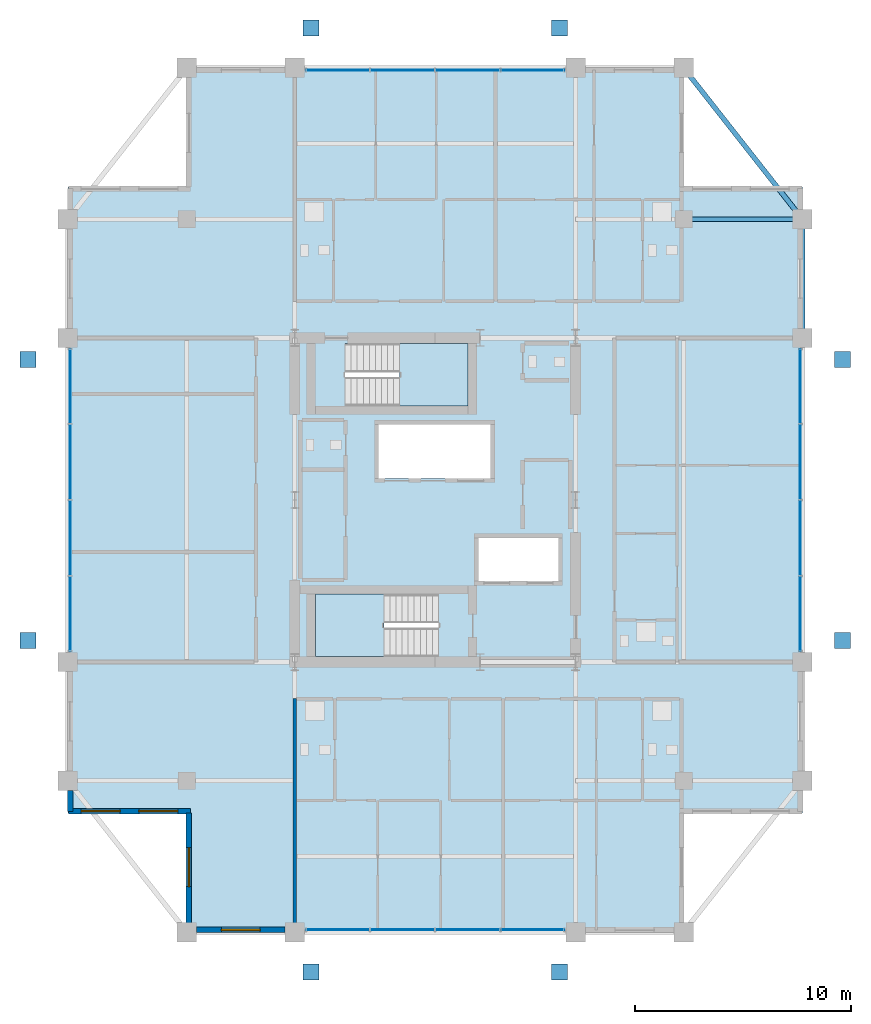
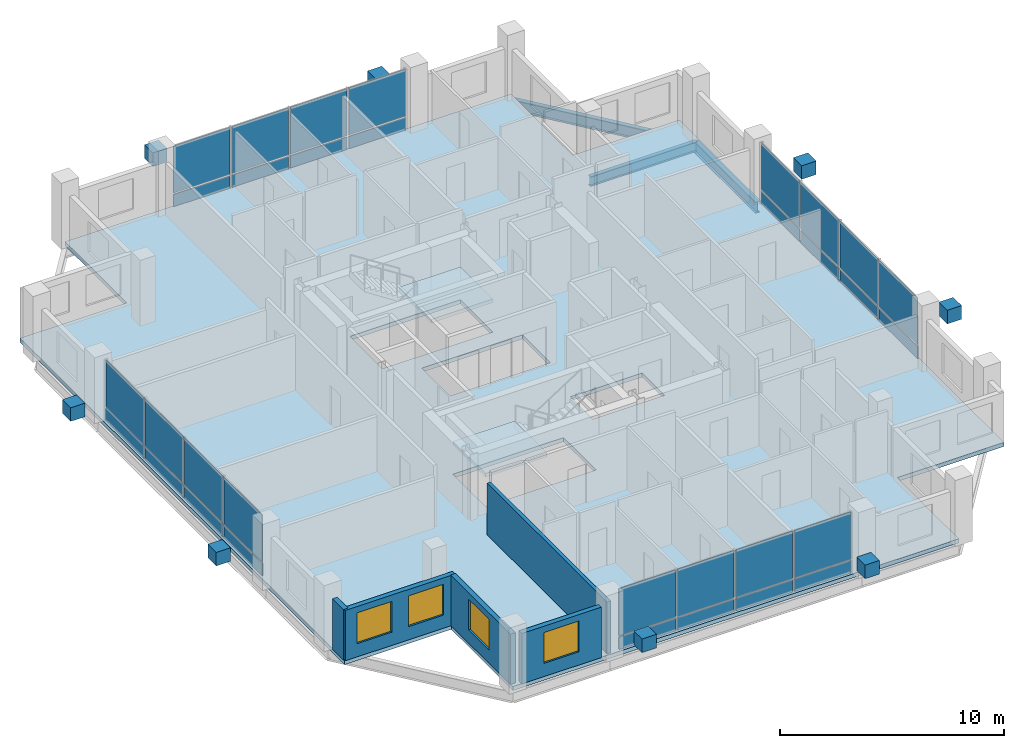
# One storey, part 15 of 21: 40 plates, 5 walls, 4 windows, 3 beams, 3 slabs, 4 openings, 6 elements without a shape of their own.
"""IFC4 building model written with IfcOpenShell, lengths in metres."""

from ifc_helpers import new_model, si_unit, direction, frame, frame_2d, origin, origin_2d, place, context, subcontext, project, spatial, polyline, rectangle, i_section, outline, extrude, material, layer, layer_set, material_profile, profile_set, type_object, element, fill, aggregate, save


model = new_model("IFC4")

# Units and contexts
model_context = context("Model", 3, precision=1e-05, world=origin(), true_north=direction((0.0, 1.0)))
body_context = subcontext(model_context, "Body", "Model", "MODEL_VIEW")
ifc_project = project(units=[si_unit("LENGTHUNIT", "METRE"), si_unit("AREAUNIT", "SQUARE_METRE"), si_unit("VOLUMEUNIT", "CUBIC_METRE"), si_unit("PLANEANGLEUNIT", "RADIAN"), si_unit("MASSUNIT", "GRAM", prefix="KILO")], contexts=[model_context])

# Site, building, storey
site_placement = place(None, origin())
site = spatial("IfcSite", under=ifc_project, at=site_placement, CompositionType="ELEMENT")
building_placement = place(site_placement, origin())
building = spatial("IfcBuilding", under=site, at=building_placement, Name="Barlavira Tower and Art Museum", CompositionType="ELEMENT")
storey_placement = place(building_placement, frame((0.0, 0.0, 233.10009765625)))
storey = spatial("IfcBuildingStorey", under=building, at=storey_placement, Name="L60", CompositionType="ELEMENT", Elevation=233.10009765625)

# Beams
ifc_material_1 = material(Name="Steel S355", Category="steel")
ifc_material_profile_1 = material_profile(ifc_material_1, i_section(OverallWidth=0.22998046875, OverallDepth=0.616943359375, WebThickness=0.01318359375, FlangeThickness=0.022216796875, at=origin_2d()), Name="W610x140.0")
ifc_profile_set_1 = profile_set([ifc_material_profile_1], Name="Steel S355")
beam_type_1 = type_object("IfcBeamType", Name="Upper Shaft Spandrel Edge Beam W610x140 Steel S355", PredefinedType="SPANDREL", material=ifc_profile_set_1)
beam_1_placement = place(storey_placement, frame((17.0, 7.5, -0.528564453125), z_axis=(0.0, 1.0, 0.0), x_axis=(-1.0, 0.0, 0.0)))
element("IfcBeam", 1, at=beam_1_placement, inside=storey, type_object=beam_type_1, Name="L60 Spandrel 7", PredefinedType="SPANDREL", context=body_context, shape_type="SweptSolid", body=[
    extrude(i_section(OverallWidth=0.22998046875, OverallDepth=0.616943359375, WebThickness=0.01318359375, FlangeThickness=0.022216796875, at=origin_2d()), origin(), (0.0, 0.0, 1.0), 5.5),
])
beam_2_placement = place(storey_placement, frame((17.0, 13.0, -0.528564453125), z_axis=(-0.617821551932, 0.786318338822, 0.0), x_axis=(-0.786318338822, -0.617821551932, 0.0)))
element("IfcBeam", 2, at=beam_2_placement, inside=storey, type_object=beam_type_1, Name="L60 Spandrel 8", PredefinedType="SPANDREL", context=body_context, shape_type="SweptSolid", body=[
    extrude(i_section(OverallWidth=0.22998046875, OverallDepth=0.616943359375, WebThickness=0.01318359375, FlangeThickness=0.022216796875, at=origin_2d()), origin(), (0.0, 0.0, 1.0), 8.90234375),
])
ifc_material_profile_2 = material_profile(ifc_material_1, i_section(OverallWidth=0.2109375, OverallDepth=0.5390625, WebThickness=0.01171875, FlangeThickness=0.018798828125, at=origin_2d()), Name="W530x109.0")
ifc_profile_set_2 = profile_set([ifc_material_profile_2], Name="Steel S355")
beam_type_2 = type_object("IfcBeamType", Name="Zone 3-4 Primary Floor Girder W530x109 Steel S355", PredefinedType="BEAM", material=ifc_profile_set_2)
beam_3_placement = place(storey_placement, frame((11.5, 13.0, -0.489501953125), z_axis=(1.0, 0.0, 0.0), x_axis=(0.0, 1.0, 0.0)))
element("IfcBeam", 3, at=beam_3_placement, inside=storey, type_object=beam_type_2, Name="L60 Girder I-N4", PredefinedType="BEAM", context=body_context, shape_type="SweptSolid", body=[
    extrude(i_section(OverallWidth=0.2109375, OverallDepth=0.5390625, WebThickness=0.01171875, FlangeThickness=0.018798828125, at=origin_2d()), origin(), (0.0, 0.0, 1.0), 5.5),
])

# Curtain wall, plates
ifc_material_2 = material(Name="Low-iron coastal laminated glass", Category="glass")
ifc_layer_1 = layer(ifc_material_2, 0.2099609375, Name="Low-iron coastal laminated glass")
ifc_layer_set_1 = layer_set([ifc_layer_1], Name="Low-iron coastal laminated glass")
curtain_wall_type = type_object("IfcCurtainWallType", Name="Pale-Metal Unitised Curtain Wall Zone 4", PredefinedType="NOTDEFINED", material=ifc_layer_set_1)
curtain_wall_1_placement = place(storey_placement, origin())
curtain_wall_1 = element("IfcCurtainWall", 4, at=curtain_wall_1_placement, inside=storey, type_object=curtain_wall_type, Name="L60 Curtain Wall CW4-L60-S-B2", PredefinedType="NOTDEFINED")
ifc_material_3 = material(Name="Pale anodised aluminium", Category="aluminium")
ifc_layer_2 = layer(ifc_material_3, 0.044921875, Name="Pale anodised aluminium")
ifc_layer_set_2 = layer_set([ifc_layer_2], Name="Pale anodised aluminium")
plate_type_1 = type_object("IfcPlateType", Name="Curtain Wall Pale-Metal Spandrel Panel 45", PredefinedType="CURTAIN_PANEL", material=ifc_layer_set_2)
plate_1_placement = place(storey_placement, frame((-4.5224609375, -19.89990234375, 0.039794921875), z_axis=(0.0, 0.0, 1.0), x_axis=(1.0, 0.0, 0.0)))
plate_1 = element("IfcPlate", 5, at=plate_1_placement, type_object=plate_type_1, Name="CW4-L60-S-B2 Spandrel Panel 0", PredefinedType="CURTAIN_PANEL", context=body_context, shape_type="SweptSolid", body=[
    extrude(rectangle(XDim=2.9150390625, YDim=0.044921875, at=origin_2d()), origin(), (0.0, 0.0, 1.0), 0.6640625),
])
plate_2_placement = place(storey_placement, frame((-1.507568359375, -19.89990234375, 0.039794921875), z_axis=(0.0, 0.0, 1.0), x_axis=(1.0, 0.0, 0.0)))
plate_2 = element("IfcPlate", 6, at=plate_2_placement, type_object=plate_type_1, Name="CW4-L60-S-B2 Spandrel Panel 1", PredefinedType="CURTAIN_PANEL", context=body_context, shape_type="SweptSolid", body=[
    extrude(rectangle(XDim=2.9150390625, YDim=0.044921875, at=origin_2d()), origin(), (0.0, 0.0, 1.0), 0.6640625),
])
plate_3_placement = place(storey_placement, frame((1.507568359375, -19.89990234375, 0.039794921875), z_axis=(0.0, 0.0, 1.0), x_axis=(1.0, 0.0, 0.0)))
plate_3 = element("IfcPlate", 7, at=plate_3_placement, type_object=plate_type_1, Name="CW4-L60-S-B2 Spandrel Panel 2", PredefinedType="CURTAIN_PANEL", context=body_context, shape_type="SweptSolid", body=[
    extrude(rectangle(XDim=2.9150390625, YDim=0.044921875, at=origin_2d()), origin(), (0.0, 0.0, 1.0), 0.6640625),
])
plate_4_placement = place(storey_placement, frame((4.5224609375, -19.89990234375, 0.039794921875), z_axis=(0.0, 0.0, 1.0), x_axis=(1.0, 0.0, 0.0)))
plate_4 = element("IfcPlate", 8, at=plate_4_placement, type_object=plate_type_1, Name="CW4-L60-S-B2 Spandrel Panel 3", PredefinedType="CURTAIN_PANEL", context=body_context, shape_type="SweptSolid", body=[
    extrude(rectangle(XDim=2.9150390625, YDim=0.044921875, at=origin_2d()), origin(), (0.0, 0.0, 1.0), 0.6640625),
])

curtain_wall_2_placement = place(storey_placement, origin())
curtain_wall_2 = element("IfcCurtainWall", 9, at=curtain_wall_2_placement, inside=storey, type_object=curtain_wall_type, Name="L60 Curtain Wall CW4-L60-N-B2", PredefinedType="NOTDEFINED")
plate_5_placement = place(storey_placement, frame((4.5224609375, 19.89990234375, 0.039794921875), z_axis=(0.0, 0.0, 1.0), x_axis=(-1.0, 0.0, 0.0)))
plate_5 = element("IfcPlate", 10, at=plate_5_placement, type_object=plate_type_1, Name="CW4-L60-N-B2 Spandrel Panel 0", PredefinedType="CURTAIN_PANEL", context=body_context, shape_type="SweptSolid", body=[
    extrude(rectangle(XDim=2.9150390625, YDim=0.044921875, at=origin_2d()), origin(), (0.0, 0.0, 1.0), 0.6640625),
])
plate_6_placement = place(storey_placement, frame((1.507568359375, 19.89990234375, 0.039794921875), z_axis=(0.0, 0.0, 1.0), x_axis=(-1.0, 0.0, 0.0)))
plate_6 = element("IfcPlate", 11, at=plate_6_placement, type_object=plate_type_1, Name="CW4-L60-N-B2 Spandrel Panel 1", PredefinedType="CURTAIN_PANEL", context=body_context, shape_type="SweptSolid", body=[
    extrude(rectangle(XDim=2.9150390625, YDim=0.044921875, at=origin_2d()), origin(), (0.0, 0.0, 1.0), 0.6640625),
])
plate_7_placement = place(storey_placement, frame((-1.507568359375, 19.89990234375, 0.039794921875), z_axis=(0.0, 0.0, 1.0), x_axis=(-1.0, 0.0, 0.0)))
plate_7 = element("IfcPlate", 12, at=plate_7_placement, type_object=plate_type_1, Name="CW4-L60-N-B2 Spandrel Panel 2", PredefinedType="CURTAIN_PANEL", context=body_context, shape_type="SweptSolid", body=[
    extrude(rectangle(XDim=2.9150390625, YDim=0.044921875, at=origin_2d()), origin(), (0.0, 0.0, 1.0), 0.6640625),
])
plate_8_placement = place(storey_placement, frame((-4.5224609375, 19.89990234375, 0.039794921875), z_axis=(0.0, 0.0, 1.0), x_axis=(-1.0, 0.0, 0.0)))
plate_8 = element("IfcPlate", 13, at=plate_8_placement, type_object=plate_type_1, Name="CW4-L60-N-B2 Spandrel Panel 3", PredefinedType="CURTAIN_PANEL", context=body_context, shape_type="SweptSolid", body=[
    extrude(rectangle(XDim=2.9150390625, YDim=0.044921875, at=origin_2d()), origin(), (0.0, 0.0, 1.0), 0.6640625),
])

curtain_wall_3_placement = place(storey_placement, origin())
curtain_wall_3 = element("IfcCurtainWall", 14, at=curtain_wall_3_placement, inside=storey, type_object=curtain_wall_type, Name="L60 Curtain Wall CW4-L60-W-B3", PredefinedType="NOTDEFINED")
plate_9_placement = place(storey_placement, frame((-16.89990234375, 5.2724609375, 0.039794921875), z_axis=(0.0, 0.0, 1.0), x_axis=(0.0, -1.0, 0.0)))
plate_9 = element("IfcPlate", 15, at=plate_9_placement, type_object=plate_type_1, Name="CW4-L60-W-B3 Spandrel Panel 0", PredefinedType="CURTAIN_PANEL", context=body_context, shape_type="SweptSolid", body=[
    extrude(rectangle(XDim=3.4150390625, YDim=0.044921875, at=origin_2d()), origin(), (0.0, 0.0, 1.0), 0.6640625),
])
plate_10_placement = place(storey_placement, frame((-16.89990234375, 1.757568359375, 0.039794921875), z_axis=(0.0, 0.0, 1.0), x_axis=(0.0, -1.0, 0.0)))
plate_10 = element("IfcPlate", 16, at=plate_10_placement, type_object=plate_type_1, Name="CW4-L60-W-B3 Spandrel Panel 1", PredefinedType="CURTAIN_PANEL", context=body_context, shape_type="SweptSolid", body=[
    extrude(rectangle(XDim=3.4150390625, YDim=0.044921875, at=origin_2d()), origin(), (0.0, 0.0, 1.0), 0.6640625),
])
plate_11_placement = place(storey_placement, frame((-16.89990234375, -1.757568359375, 0.039794921875), z_axis=(0.0, 0.0, 1.0), x_axis=(0.0, -1.0, 0.0)))
plate_11 = element("IfcPlate", 17, at=plate_11_placement, type_object=plate_type_1, Name="CW4-L60-W-B3 Spandrel Panel 2", PredefinedType="CURTAIN_PANEL", context=body_context, shape_type="SweptSolid", body=[
    extrude(rectangle(XDim=3.4150390625, YDim=0.044921875, at=origin_2d()), origin(), (0.0, 0.0, 1.0), 0.6640625),
])
plate_12_placement = place(storey_placement, frame((-16.89990234375, -5.2724609375, 0.039794921875), z_axis=(0.0, 0.0, 1.0), x_axis=(0.0, -1.0, 0.0)))
plate_12 = element("IfcPlate", 18, at=plate_12_placement, type_object=plate_type_1, Name="CW4-L60-W-B3 Spandrel Panel 3", PredefinedType="CURTAIN_PANEL", context=body_context, shape_type="SweptSolid", body=[
    extrude(rectangle(XDim=3.4150390625, YDim=0.044921875, at=origin_2d()), origin(), (0.0, 0.0, 1.0), 0.6640625),
])

curtain_wall_4_placement = place(storey_placement, origin())
curtain_wall_4 = element("IfcCurtainWall", 19, at=curtain_wall_4_placement, inside=storey, type_object=curtain_wall_type, Name="L60 Curtain Wall CW4-L60-E-B3", PredefinedType="NOTDEFINED")
plate_13_placement = place(storey_placement, frame((16.89990234375, -5.2724609375, 0.039794921875), z_axis=(0.0, 0.0, 1.0), x_axis=(0.0, 1.0, 0.0)))
plate_13 = element("IfcPlate", 20, at=plate_13_placement, type_object=plate_type_1, Name="CW4-L60-E-B3 Spandrel Panel 0", PredefinedType="CURTAIN_PANEL", context=body_context, shape_type="SweptSolid", body=[
    extrude(rectangle(XDim=3.4150390625, YDim=0.044921875, at=origin_2d()), origin(), (0.0, 0.0, 1.0), 0.6640625),
])
plate_14_placement = place(storey_placement, frame((16.89990234375, -1.757568359375, 0.039794921875), z_axis=(0.0, 0.0, 1.0), x_axis=(0.0, 1.0, 0.0)))
plate_14 = element("IfcPlate", 21, at=plate_14_placement, type_object=plate_type_1, Name="CW4-L60-E-B3 Spandrel Panel 1", PredefinedType="CURTAIN_PANEL", context=body_context, shape_type="SweptSolid", body=[
    extrude(rectangle(XDim=3.4150390625, YDim=0.044921875, at=origin_2d()), origin(), (0.0, 0.0, 1.0), 0.6640625),
])
plate_15_placement = place(storey_placement, frame((16.89990234375, 1.757568359375, 0.039794921875), z_axis=(0.0, 0.0, 1.0), x_axis=(0.0, 1.0, 0.0)))
plate_15 = element("IfcPlate", 22, at=plate_15_placement, type_object=plate_type_1, Name="CW4-L60-E-B3 Spandrel Panel 2", PredefinedType="CURTAIN_PANEL", context=body_context, shape_type="SweptSolid", body=[
    extrude(rectangle(XDim=3.4150390625, YDim=0.044921875, at=origin_2d()), origin(), (0.0, 0.0, 1.0), 0.6640625),
])
plate_16_placement = place(storey_placement, frame((16.89990234375, 5.2724609375, 0.039794921875), z_axis=(0.0, 0.0, 1.0), x_axis=(0.0, 1.0, 0.0)))
plate_16 = element("IfcPlate", 23, at=plate_16_placement, type_object=plate_type_1, Name="CW4-L60-E-B3 Spandrel Panel 3", PredefinedType="CURTAIN_PANEL", context=body_context, shape_type="SweptSolid", body=[
    extrude(rectangle(XDim=3.4150390625, YDim=0.044921875, at=origin_2d()), origin(), (0.0, 0.0, 1.0), 0.6640625),
])

# Plate
ifc_layer_3 = layer(ifc_material_2, 0.028076171875, Name="Low-iron coastal laminated glass")
ifc_layer_set_3 = layer_set([ifc_layer_3], Name="Low-iron coastal laminated glass")
plate_type_2 = type_object("IfcPlateType", Name="Curtain Wall Vision Glazing Panel 28", PredefinedType="CURTAIN_PANEL", material=ifc_layer_set_3)
plate_17_placement = place(storey_placement, frame((-4.5224609375, -19.89990234375, 0.7841796875), z_axis=(0.0, 0.0, 1.0), x_axis=(1.0, 0.0, 0.0)))
plate_17 = element("IfcPlate", 24, at=plate_17_placement, type_object=plate_type_2, Name="CW4-L60-S-B2 Vision Glass Panel 0", PredefinedType="CURTAIN_PANEL", context=body_context, shape_type="SweptSolid", body=[
    extrude(rectangle(XDim=2.9150390625, YDim=0.028076171875, at=origin_2d()), origin(), (0.0, 0.0, 1.0), 2.555908203125),
])

plate_18_placement = place(storey_placement, frame((-1.507568359375, -19.89990234375, 0.7841796875), z_axis=(0.0, 0.0, 1.0), x_axis=(1.0, 0.0, 0.0)))
plate_18 = element("IfcPlate", 25, at=plate_18_placement, type_object=plate_type_2, Name="CW4-L60-S-B2 Vision Glass Panel 1", PredefinedType="CURTAIN_PANEL", context=body_context, shape_type="SweptSolid", body=[
    extrude(rectangle(XDim=2.9150390625, YDim=0.028076171875, at=origin_2d()), origin(), (0.0, 0.0, 1.0), 2.555908203125),
])

plate_19_placement = place(storey_placement, frame((1.507568359375, -19.89990234375, 0.7841796875), z_axis=(0.0, 0.0, 1.0), x_axis=(1.0, 0.0, 0.0)))
plate_19 = element("IfcPlate", 26, at=plate_19_placement, type_object=plate_type_2, Name="CW4-L60-S-B2 Vision Glass Panel 2", PredefinedType="CURTAIN_PANEL", context=body_context, shape_type="SweptSolid", body=[
    extrude(rectangle(XDim=2.9150390625, YDim=0.028076171875, at=origin_2d()), origin(), (0.0, 0.0, 1.0), 2.555908203125),
])

plate_20_placement = place(storey_placement, frame((4.5224609375, -19.89990234375, 0.7841796875), z_axis=(0.0, 0.0, 1.0), x_axis=(1.0, 0.0, 0.0)))
plate_20 = element("IfcPlate", 27, at=plate_20_placement, type_object=plate_type_2, Name="CW4-L60-S-B2 Vision Glass Panel 3", PredefinedType="CURTAIN_PANEL", context=body_context, shape_type="SweptSolid", body=[
    extrude(rectangle(XDim=2.9150390625, YDim=0.028076171875, at=origin_2d()), origin(), (0.0, 0.0, 1.0), 2.555908203125),
])

aggregate(curtain_wall_1, [plate_1, plate_17, plate_2, plate_18, plate_3, plate_19, plate_4, plate_20])

plate_21_placement = place(storey_placement, frame((4.5224609375, 19.89990234375, 0.7841796875), z_axis=(0.0, 0.0, 1.0), x_axis=(-1.0, 0.0, 0.0)))
plate_21 = element("IfcPlate", 28, at=plate_21_placement, type_object=plate_type_2, Name="CW4-L60-N-B2 Vision Glass Panel 0", PredefinedType="CURTAIN_PANEL", context=body_context, shape_type="SweptSolid", body=[
    extrude(rectangle(XDim=2.9150390625, YDim=0.028076171875, at=origin_2d()), origin(), (0.0, 0.0, 1.0), 2.555908203125),
])

plate_22_placement = place(storey_placement, frame((1.507568359375, 19.89990234375, 0.7841796875), z_axis=(0.0, 0.0, 1.0), x_axis=(-1.0, 0.0, 0.0)))
plate_22 = element("IfcPlate", 29, at=plate_22_placement, type_object=plate_type_2, Name="CW4-L60-N-B2 Vision Glass Panel 1", PredefinedType="CURTAIN_PANEL", context=body_context, shape_type="SweptSolid", body=[
    extrude(rectangle(XDim=2.9150390625, YDim=0.028076171875, at=origin_2d()), origin(), (0.0, 0.0, 1.0), 2.555908203125),
])

plate_23_placement = place(storey_placement, frame((-1.507568359375, 19.89990234375, 0.7841796875), z_axis=(0.0, 0.0, 1.0), x_axis=(-1.0, 0.0, 0.0)))
plate_23 = element("IfcPlate", 30, at=plate_23_placement, type_object=plate_type_2, Name="CW4-L60-N-B2 Vision Glass Panel 2", PredefinedType="CURTAIN_PANEL", context=body_context, shape_type="SweptSolid", body=[
    extrude(rectangle(XDim=2.9150390625, YDim=0.028076171875, at=origin_2d()), origin(), (0.0, 0.0, 1.0), 2.555908203125),
])

plate_24_placement = place(storey_placement, frame((-4.5224609375, 19.89990234375, 0.7841796875), z_axis=(0.0, 0.0, 1.0), x_axis=(-1.0, 0.0, 0.0)))
plate_24 = element("IfcPlate", 31, at=plate_24_placement, type_object=plate_type_2, Name="CW4-L60-N-B2 Vision Glass Panel 3", PredefinedType="CURTAIN_PANEL", context=body_context, shape_type="SweptSolid", body=[
    extrude(rectangle(XDim=2.9150390625, YDim=0.028076171875, at=origin_2d()), origin(), (0.0, 0.0, 1.0), 2.555908203125),
])

aggregate(curtain_wall_2, [plate_5, plate_21, plate_6, plate_22, plate_7, plate_23, plate_8, plate_24])

plate_25_placement = place(storey_placement, frame((-16.89990234375, 5.2724609375, 0.7841796875), z_axis=(0.0, 0.0, 1.0), x_axis=(0.0, -1.0, 0.0)))
plate_25 = element("IfcPlate", 32, at=plate_25_placement, type_object=plate_type_2, Name="CW4-L60-W-B3 Vision Glass Panel 0", PredefinedType="CURTAIN_PANEL", context=body_context, shape_type="SweptSolid", body=[
    extrude(rectangle(XDim=3.4150390625, YDim=0.028076171875, at=origin_2d()), origin(), (0.0, 0.0, 1.0), 2.555908203125),
])

plate_26_placement = place(storey_placement, frame((-16.89990234375, 1.757568359375, 0.7841796875), z_axis=(0.0, 0.0, 1.0), x_axis=(0.0, -1.0, 0.0)))
plate_26 = element("IfcPlate", 33, at=plate_26_placement, type_object=plate_type_2, Name="CW4-L60-W-B3 Vision Glass Panel 1", PredefinedType="CURTAIN_PANEL", context=body_context, shape_type="SweptSolid", body=[
    extrude(rectangle(XDim=3.4150390625, YDim=0.028076171875, at=origin_2d()), origin(), (0.0, 0.0, 1.0), 2.555908203125),
])

plate_27_placement = place(storey_placement, frame((-16.89990234375, -1.757568359375, 0.7841796875), z_axis=(0.0, 0.0, 1.0), x_axis=(0.0, -1.0, 0.0)))
plate_27 = element("IfcPlate", 34, at=plate_27_placement, type_object=plate_type_2, Name="CW4-L60-W-B3 Vision Glass Panel 2", PredefinedType="CURTAIN_PANEL", context=body_context, shape_type="SweptSolid", body=[
    extrude(rectangle(XDim=3.4150390625, YDim=0.028076171875, at=origin_2d()), origin(), (0.0, 0.0, 1.0), 2.555908203125),
])

plate_28_placement = place(storey_placement, frame((-16.89990234375, -5.2724609375, 0.7841796875), z_axis=(0.0, 0.0, 1.0), x_axis=(0.0, -1.0, 0.0)))
plate_28 = element("IfcPlate", 35, at=plate_28_placement, type_object=plate_type_2, Name="CW4-L60-W-B3 Vision Glass Panel 3", PredefinedType="CURTAIN_PANEL", context=body_context, shape_type="SweptSolid", body=[
    extrude(rectangle(XDim=3.4150390625, YDim=0.028076171875, at=origin_2d()), origin(), (0.0, 0.0, 1.0), 2.555908203125),
])

aggregate(curtain_wall_3, [plate_9, plate_25, plate_10, plate_26, plate_11, plate_27, plate_12, plate_28])

plate_29_placement = place(storey_placement, frame((16.89990234375, -5.2724609375, 0.7841796875), z_axis=(0.0, 0.0, 1.0), x_axis=(0.0, 1.0, 0.0)))
plate_29 = element("IfcPlate", 36, at=plate_29_placement, type_object=plate_type_2, Name="CW4-L60-E-B3 Vision Glass Panel 0", PredefinedType="CURTAIN_PANEL", context=body_context, shape_type="SweptSolid", body=[
    extrude(rectangle(XDim=3.4150390625, YDim=0.028076171875, at=origin_2d()), origin(), (0.0, 0.0, 1.0), 2.555908203125),
])

plate_30_placement = place(storey_placement, frame((16.89990234375, -1.757568359375, 0.7841796875), z_axis=(0.0, 0.0, 1.0), x_axis=(0.0, 1.0, 0.0)))
plate_30 = element("IfcPlate", 37, at=plate_30_placement, type_object=plate_type_2, Name="CW4-L60-E-B3 Vision Glass Panel 1", PredefinedType="CURTAIN_PANEL", context=body_context, shape_type="SweptSolid", body=[
    extrude(rectangle(XDim=3.4150390625, YDim=0.028076171875, at=origin_2d()), origin(), (0.0, 0.0, 1.0), 2.555908203125),
])

plate_31_placement = place(storey_placement, frame((16.89990234375, 1.757568359375, 0.7841796875), z_axis=(0.0, 0.0, 1.0), x_axis=(0.0, 1.0, 0.0)))
plate_31 = element("IfcPlate", 38, at=plate_31_placement, type_object=plate_type_2, Name="CW4-L60-E-B3 Vision Glass Panel 2", PredefinedType="CURTAIN_PANEL", context=body_context, shape_type="SweptSolid", body=[
    extrude(rectangle(XDim=3.4150390625, YDim=0.028076171875, at=origin_2d()), origin(), (0.0, 0.0, 1.0), 2.555908203125),
])

plate_32_placement = place(storey_placement, frame((16.89990234375, 5.2724609375, 0.7841796875), z_axis=(0.0, 0.0, 1.0), x_axis=(0.0, 1.0, 0.0)))
plate_32 = element("IfcPlate", 39, at=plate_32_placement, type_object=plate_type_2, Name="CW4-L60-E-B3 Vision Glass Panel 3", PredefinedType="CURTAIN_PANEL", context=body_context, shape_type="SweptSolid", body=[
    extrude(rectangle(XDim=3.4150390625, YDim=0.028076171875, at=origin_2d()), origin(), (0.0, 0.0, 1.0), 2.555908203125),
])

aggregate(curtain_wall_4, [plate_13, plate_29, plate_14, plate_30, plate_15, plate_31, plate_16, plate_32])

# Plates
ifc_layer_4 = layer(ifc_material_1, 0.739990234375, Name="Steel S355")
ifc_layer_set_4 = layer_set([ifc_layer_4], Name="Steel S355")
plate_type_3 = type_object("IfcPlateType", Name="Exoskeleton Solid Steel Node Cap Plate Assembly Type 4 Steel S355", PredefinedType="USERDEFINED", material=ifc_layer_set_4)
for number, where, z_axis, x_axis, name in (
    (40, (-5.75, -21.85009765625, 1.31005859375), (0.0, 0.0, 1.0), (1.0, 0.0, 0.0), "Exoskeleton Diamond Node S1 ND-L60-0672"),
    (41, (5.75, -21.85009765625, 1.31005859375), (0.0, 0.0, 1.0), (1.0, 0.0, 0.0), "Exoskeleton Diamond Node S2 ND-L60-0673"),
    (42, (-5.75, 21.85009765625, 1.31005859375), (0.0, 0.0, 1.0), (1.0, 0.0, 0.0), "Exoskeleton Diamond Node N1 ND-L60-0680"),
    (43, (5.75, 21.85009765625, 1.31005859375), (0.0, 0.0, 1.0), (1.0, 0.0, 0.0), "Exoskeleton Diamond Node N2 ND-L60-0681"),
    (44, (-18.85009765625, -6.5, 1.31005859375), (0.0, 0.0, 1.0), (1.0, 0.0, 0.0), "Exoskeleton Diamond Node W1 ND-L60-0688"),
    (45, (-18.85009765625, 6.5, 1.31005859375), (0.0, 0.0, 1.0), (1.0, 0.0, 0.0), "Exoskeleton Diamond Node W2 ND-L60-0689"),
    (46, (18.85009765625, -6.5, 1.31005859375), (0.0, 0.0, 1.0), (1.0, 0.0, 0.0), "Exoskeleton Diamond Node E1 ND-L60-0696"),
    (47, (18.85009765625, 6.5, 1.31005859375), (0.0, 0.0, 1.0), (1.0, 0.0, 0.0), "Exoskeleton Diamond Node E2 ND-L60-0697"),
):
    element("IfcPlate", number, at=place(storey_placement, frame(where, z_axis=z_axis, x_axis=x_axis)), inside=storey, type_object=plate_type_3, Name=name, ObjectType="FLANGE_PLATE", PredefinedType="USERDEFINED", context=body_context, shape_type="SweptSolid", body=[
        extrude(rectangle(XDim=0.739990234375, YDim=0.739990234375, at=origin_2d()), origin(), (0.0, 0.0, 1.0), 0.739990234375),
    ])

# Stair, slab
ifc_material_4 = material(Name="Concrete C45", Category="concrete")
stair_type_1 = type_object("IfcStairType", Name="Tower North Dog-Leg Exit Stair Assembly Concrete C45", PredefinedType="TWO_QUARTER_TURN_STAIR", material=ifc_material_4)
stair_1_placement = place(storey_placement, origin())
stair_1 = element("IfcStair", 48, at=stair_1_placement, inside=storey, type_object=stair_type_1, Name="L60 Tower North Exit Stair ST-T2", PredefinedType="TWO_QUARTER_TURN_STAIR")
ifc_layer_5 = layer(ifc_material_4, 0.199951171875, Name="Concrete C45")
ifc_layer_set_5 = layer_set([ifc_layer_5], Name="Concrete C45")
slab_type_1 = type_object("IfcSlabType", Name="Tower North Dog-Leg Exit Stair Half-Landing Slab 200 Concrete C45", PredefinedType="LANDING", material=ifc_layer_set_5)
slab_1_placement = place(storey_placement, frame((0.0, 0.0, 1.599853515625)))
slab_1 = element("IfcSlab", 49, at=slab_1_placement, type_object=slab_type_1, Name="ST-T2 landing 1", PredefinedType="LANDING", context=body_context, shape_type="SweptSolid", body=[
    extrude(outline(polyline([(-1.64990234375, 4.35009765625), (1.530029296875, 4.35009765625), (1.530029296875, 7.25), (-1.64990234375, 7.25), (-1.64990234375, 4.35009765625)])), origin(), (0.0, 0.0, 1.0), 0.199951171875),
])
aggregate(stair_1, [slab_1])

stair_type_2 = type_object("IfcStairType", Name="Tower South Dog-Leg Exit Stair Assembly Concrete C45", PredefinedType="TWO_QUARTER_TURN_STAIR", material=ifc_material_4)
stair_2_placement = place(storey_placement, origin())
stair_2 = element("IfcStair", 50, at=stair_2_placement, inside=storey, type_object=stair_type_2, Name="L60 Tower South Exit Stair ST-T1", PredefinedType="TWO_QUARTER_TURN_STAIR")
ifc_layer_6 = layer(ifc_material_4, 0.199951171875, Name="Concrete C45")
ifc_layer_set_6 = layer_set([ifc_layer_6], Name="Concrete C45")
slab_type_2 = type_object("IfcSlabType", Name="Tower South Dog-Leg Exit Stair Half-Landing Slab 200 Concrete C45", PredefinedType="LANDING", material=ifc_layer_set_6)
slab_2_placement = place(storey_placement, frame((0.0, 0.0, 1.599853515625)))
slab_2 = element("IfcSlab", 51, at=slab_2_placement, type_object=slab_type_2, Name="ST-T1 landing 1", PredefinedType="LANDING", context=body_context, shape_type="SweptSolid", body=[
    extrude(outline(polyline([(-2.3701171875, -4.35009765625), (-5.550048828125, -4.35009765625), (-5.550048828125, -7.25), (-2.3701171875, -7.25), (-2.3701171875, -4.35009765625)])), origin(), (0.0, 0.0, 1.0), 0.199951171875),
])
aggregate(stair_2, [slab_2])

# Slab
ifc_material_5 = material(Name="Concrete C50", Category="concrete")
ifc_layer_7 = layer(ifc_material_5, 0.18994140625, Name="Concrete C50")
ifc_layer_set_7 = layer_set([ifc_layer_7], Name="Concrete C50")
slab_type_3 = type_object("IfcSlabType", Name="Zone 4 Residential Composite Slab 190 Concrete C50", PredefinedType="FLOOR", material=ifc_layer_set_7)
slab_3_placement = place(storey_placement, frame((0.0, 0.0, -0.22021484375)))
element("IfcSlab", 52, at=slab_3_placement, inside=storey, type_object=slab_type_3, Name="L60 Tower Floor Slab", PredefinedType="FLOOR", context=body_context, shape_type="SweptSolid", body=[
    extrude(outline(polyline([(-11.5, -20.0), (11.5, -20.0), (11.5, -14.5), (17.0, -14.5), (17.0, 14.5), (11.5, 14.5), (11.5, 20.0), (-11.5, 20.0), (-11.5, 14.5), (-17.0, 14.5), (-17.0, -14.5), (-11.5, -14.5), (-11.5, -20.0)]), holes=[polyline([(0.14990234375, -4.35009765625), (-5.550048828125, -4.35009765625), (-5.550048828125, -7.25), (0.14990234375, -7.25), (0.14990234375, -4.35009765625)]), polyline([(-4.169921875, 4.35009765625), (1.530029296875, 4.35009765625), (1.530029296875, 7.25), (-4.169921875, 7.25), (-4.169921875, 4.35009765625)]), polyline([(-2.6201171875, 1.0), (2.56005859375, 1.0), (2.56005859375, 3.5), (-2.6201171875, 3.5), (-2.6201171875, 1.0)]), polyline([(2.0, -3.75), (5.699951171875, -3.75), (5.699951171875, -1.75), (2.0, -1.75), (2.0, -3.75)])]), origin(), (0.0, 0.0, 1.0), 0.22021484375),
])

# Wall
ifc_material_6 = material(Name="Gypsum acoustic stud partition", Category="gypsum")
ifc_layer_8 = layer(ifc_material_6, 0.179931640625, Name="Gypsum acoustic stud partition")
ifc_layer_set_8 = layer_set([ifc_layer_8], Name="Gypsum acoustic stud partition")
wall_type_1 = type_object("IfcWallType", Name="Inter-Tenancy Party Partition Wall 180", PredefinedType="PARTITIONING", material=ifc_layer_set_8)
wall_1_placement = place(storey_placement, frame((-6.5, -19.89990234375, 0.0), z_axis=(0.0, 0.0, 1.0), x_axis=(0.0, 1.0, 0.0)))
element("IfcWall", 53, at=wall_1_placement, inside=storey, type_object=wall_type_1, Name="L60 Partition Wall 2", PredefinedType="PARTITIONING", context=body_context, shape_type="SweptSolid", body=[
    extrude(rectangle(XDim=10.699951171875, YDim=0.179931640625, at=frame_2d((5.35009765625, 0.0))), origin(), (0.0, 0.0, 1.0), 2.825927734375),
])

# Wall, opening, window
ifc_material_7 = material(Name="Precast concrete C40", Category="concrete")
ifc_layer_9 = layer(ifc_material_7, 0.25, Name="Precast concrete C40")
ifc_layer_set_9 = layer_set([ifc_layer_9], Name="Precast concrete C40")
wall_type_2 = type_object("IfcWallType", Name="Notched Corner Spandrel Wall 250 Precast Concrete C40", PredefinedType="SOLIDWALL", material=ifc_layer_set_9)
wall_2_placement = place(storey_placement, frame((-11.054931640625, -19.89990234375, 0.0), z_axis=(0.0, 0.0, 1.0), x_axis=(1.0, 0.0, 0.0)))
wall_2 = element("IfcWall", 54, at=wall_2_placement, inside=storey, type_object=wall_type_2, Name="L60 Coastal Facade Pier Wall CW4-L60-S-1", PredefinedType="SOLIDWALL", context=body_context, shape_type="SweptSolid", body=[
    extrude(rectangle(XDim=4.10986328125, YDim=0.25, at=frame_2d((2.054931640625, 0.0))), origin(), (0.0, 0.0, 1.0), 2.747802734375),
])
opening_1_placement = place(wall_2_placement, frame((1.155029296875, 0.0, 0.719970703125)))
opening_1 = element("IfcOpeningElement", 55, at=opening_1_placement, cuts=wall_2, Name="Opening WN-01", PredefinedType="OPENING", context=body_context, shape_type="SweptSolid", body=[
    extrude(rectangle(XDim=1.800048828125, YDim=1.679931640625, at=frame_2d((0.89990234375, 0.83984375))), frame((0.0, 0.135009765625, 0.0), z_axis=(0.0, -1.0, 0.0), x_axis=(1.0, 0.0, 0.0)), (0.0, 0.0, 1.0), 0.27001953125),
])
window_type = type_object("IfcWindowType", Name="Recessed Notch Corner Punch Window 1800x1680", PartitioningType="SINGLE_PANEL", PredefinedType="WINDOW", material=ifc_material_2)
window_1_placement = place(opening_1_placement, origin())
window_1 = element("IfcWindow", 56, at=window_1_placement, inside=storey, type_object=window_type, Name="L60 Punched Facade Window EWP-CW4-L60-S-1-1", OverallHeight=1.679931640625, OverallWidth=1.800048828125, PartitioningType="SINGLE_PANEL", PredefinedType="WINDOW", context=body_context, shape_type="SweptSolid", body=[
    extrude(rectangle(XDim=1.800048828125, YDim=1.679931640625, at=frame_2d((0.89990234375, 0.83984375))), frame((0.0, 0.030029296875, 0.0), z_axis=(0.0, -1.0, 0.0), x_axis=(1.0, 0.0, 0.0)), (0.0, 0.0, 1.0), 0.06005859375),
])
fill(opening_1, window_1)

# Wall
wall_3_placement = place(storey_placement, frame((-16.89990234375, -13.445068359375, 0.0), z_axis=(0.0, 0.0, 1.0), x_axis=(0.0, -1.0, 0.0)))
element("IfcWall", 57, at=wall_3_placement, inside=storey, type_object=wall_type_2, Name="L60 Coastal Facade Pier Wall CW4-L60-W-5", PredefinedType="SOLIDWALL", context=body_context, shape_type="SweptSolid", body=[
    extrude(rectangle(XDim=0.97998046875, YDim=0.25, at=frame_2d((0.489990234375, 0.0))), origin(), (0.0, 0.0, 1.0), 2.747802734375),
])

# Wall, openings, windows
wall_4_placement = place(storey_placement, frame((-16.97998046875, -14.39990234375, 0.0), z_axis=(0.0, 0.0, 1.0), x_axis=(1.0, 0.0, 0.0)))
wall_4 = element("IfcWall", 58, at=wall_4_placement, inside=storey, type_object=wall_type_2, Name="L60 Notch Corner Wall SW1", PredefinedType="SOLIDWALL", context=body_context, shape_type="SweptSolid", body=[
    extrude(rectangle(XDim=5.659912109375, YDim=0.25, at=frame_2d((2.830078125, 0.0))), origin(), (0.0, 0.0, 1.0), 2.747802734375),
])
opening_2_placement = place(wall_4_placement, frame((0.594970703125, 0.0, 0.719970703125)))
opening_2 = element("IfcOpeningElement", 59, at=opening_2_placement, cuts=wall_4, Name="Opening WN-01", PredefinedType="OPENING", context=body_context, shape_type="SweptSolid", body=[
    extrude(rectangle(XDim=1.800048828125, YDim=1.679931640625, at=frame_2d((0.89990234375, 0.83984375))), frame((0.0, 0.135009765625, 0.0), z_axis=(0.0, -1.0, 0.0), x_axis=(1.0, 0.0, 0.0)), (0.0, 0.0, 1.0), 0.27001953125),
])
opening_3_placement = place(wall_4_placement, frame((3.264892578125, 0.0, 0.719970703125)))
opening_3 = element("IfcOpeningElement", 60, at=opening_3_placement, cuts=wall_4, Name="Opening WN-01", PredefinedType="OPENING", context=body_context, shape_type="SweptSolid", body=[
    extrude(rectangle(XDim=1.800048828125, YDim=1.679931640625, at=frame_2d((0.89990234375, 0.83984375))), frame((0.0, 0.135009765625, 0.0), z_axis=(0.0, -1.0, 0.0), x_axis=(1.0, 0.0, 0.0)), (0.0, 0.0, 1.0), 0.27001953125),
])
window_2_placement = place(opening_2_placement, origin())
window_2 = element("IfcWindow", 61, at=window_2_placement, inside=storey, type_object=window_type, Name="L60 Punched Facade Window EW-NTC-L60-SW1-1", OverallHeight=1.679931640625, OverallWidth=1.800048828125, PartitioningType="SINGLE_PANEL", PredefinedType="WINDOW", context=body_context, shape_type="SweptSolid", body=[
    extrude(rectangle(XDim=1.800048828125, YDim=1.679931640625, at=frame_2d((0.89990234375, 0.83984375))), frame((0.0, 0.030029296875, 0.0), z_axis=(0.0, -1.0, 0.0), x_axis=(1.0, 0.0, 0.0)), (0.0, 0.0, 1.0), 0.06005859375),
])
fill(opening_2, window_2)
window_3_placement = place(opening_3_placement, origin())
window_3 = element("IfcWindow", 62, at=window_3_placement, inside=storey, type_object=window_type, Name="L60 Punched Facade Window EW-NTC-L60-SW1-2", OverallHeight=1.679931640625, OverallWidth=1.800048828125, PartitioningType="SINGLE_PANEL", PredefinedType="WINDOW", context=body_context, shape_type="SweptSolid", body=[
    extrude(rectangle(XDim=1.800048828125, YDim=1.679931640625, at=frame_2d((0.89990234375, 0.83984375))), frame((0.0, 0.030029296875, 0.0), z_axis=(0.0, -1.0, 0.0), x_axis=(1.0, 0.0, 0.0)), (0.0, 0.0, 1.0), 0.06005859375),
])
fill(opening_3, window_3)

# Wall, opening, window
wall_5_placement = place(storey_placement, frame((-11.39990234375, -14.47998046875, 0.0), z_axis=(0.0, 0.0, 1.0), x_axis=(0.0, -1.0, 0.0)))
wall_5 = element("IfcWall", 63, at=wall_5_placement, inside=storey, type_object=wall_type_2, Name="L60 Notch Corner Wall SW2", PredefinedType="SOLIDWALL", context=body_context, shape_type="SweptSolid", body=[
    extrude(rectangle(XDim=5.340087890625, YDim=0.25, at=frame_2d((2.669921875, 0.0))), origin(), (0.0, 0.0, 1.0), 2.747802734375),
])
opening_4_placement = place(wall_5_placement, frame((1.614990234375, 0.0, 0.719970703125)))
opening_4 = element("IfcOpeningElement", 64, at=opening_4_placement, cuts=wall_5, Name="Opening WN-01", PredefinedType="OPENING", context=body_context, shape_type="SweptSolid", body=[
    extrude(rectangle(XDim=1.800048828125, YDim=1.679931640625, at=frame_2d((0.89990234375, 0.83984375))), frame((0.0, 0.135009765625, 0.0), z_axis=(0.0, -1.0, 0.0), x_axis=(1.0, 0.0, 0.0)), (0.0, 0.0, 1.0), 0.27001953125),
])
window_4_placement = place(opening_4_placement, origin())
window_4 = element("IfcWindow", 65, at=window_4_placement, inside=storey, type_object=window_type, Name="L60 Punched Facade Window EW-NTC-L60-SW2-1", OverallHeight=1.679931640625, OverallWidth=1.800048828125, PartitioningType="SINGLE_PANEL", PredefinedType="WINDOW", context=body_context, shape_type="SweptSolid", body=[
    extrude(rectangle(XDim=1.800048828125, YDim=1.679931640625, at=frame_2d((0.89990234375, 0.83984375))), frame((0.0, 0.030029296875, 0.0), z_axis=(0.0, -1.0, 0.0), x_axis=(1.0, 0.0, 0.0)), (0.0, 0.0, 1.0), 0.06005859375),
])
fill(opening_4, window_4)

save(model, "model.ifc")
